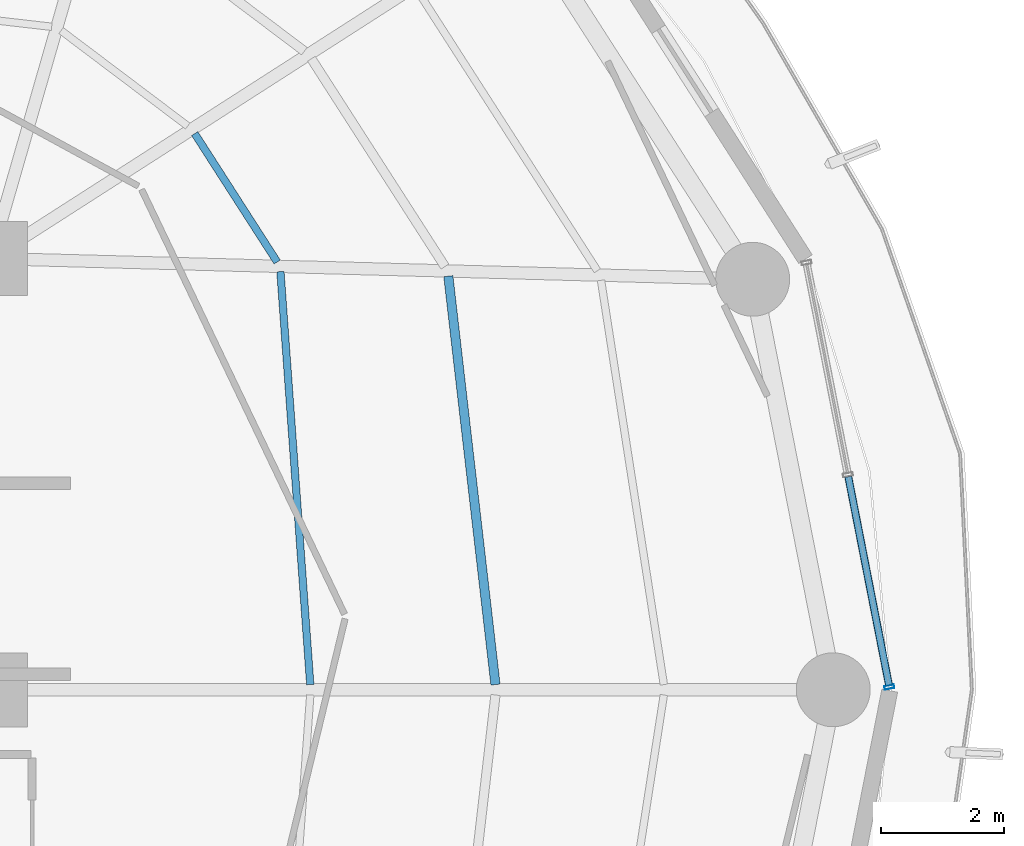
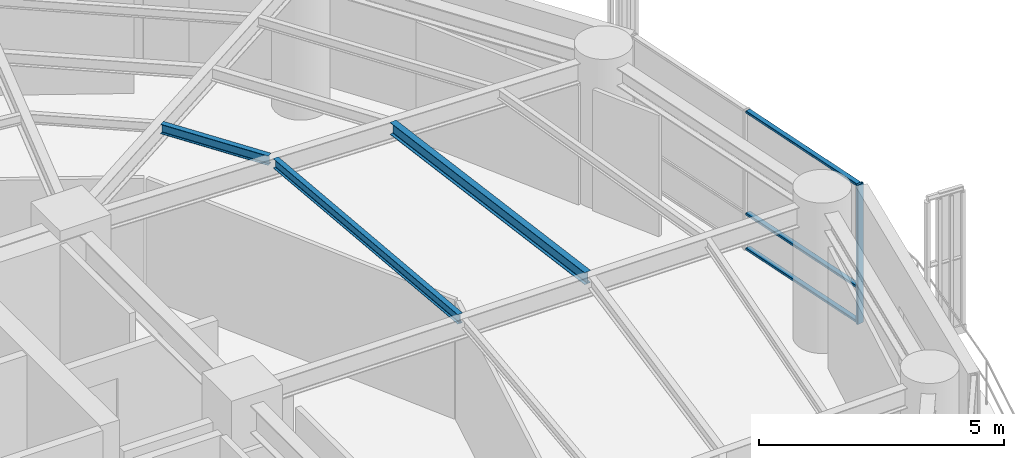
# One storey, part 13 of 29: 4 members, 3 beams, 1 element without a shape of its own.
"""IFC4 building model written with IfcOpenShell, lengths in metres."""

from ifc_helpers import new_model, si_unit, direction, frame, origin, origin_2d, place, context, subcontext, project, spatial, hollow_rectangle, i_section, extrude, material, layer, layer_set, material_profile, profile_set, type_object, element, aggregate, save


model = new_model("IFC4")

# Units and contexts
model_context = context("Model", 3, precision=1e-05, world=origin(), true_north=direction((0.0, 1.0)))
body_context = subcontext(model_context, "Body", "Model", "MODEL_VIEW")
ifc_project = project(units=[si_unit("LENGTHUNIT", "METRE"), si_unit("AREAUNIT", "SQUARE_METRE"), si_unit("VOLUMEUNIT", "CUBIC_METRE"), si_unit("PLANEANGLEUNIT", "RADIAN"), si_unit("MASSUNIT", "GRAM", prefix="KILO")], contexts=[model_context])

# Site, building, storey
site_placement = place(None, origin())
site = spatial("IfcSite", under=ifc_project, at=site_placement, CompositionType="ELEMENT")
building_placement = place(site_placement, origin())
building = spatial("IfcBuilding", under=site, at=building_placement, Name="Kelanora Arch Commons", CompositionType="ELEMENT")
storey_placement = place(building_placement, frame((0.0, 0.0, 135.60009765625)))
storey = spatial("IfcBuildingStorey", under=building, at=storey_placement, Name="L34", CompositionType="ELEMENT", Elevation=135.60009765625)

# Beams
ifc_material_1 = material(Name="Steel S355", Category="steel")
ifc_material_profile_1 = material_profile(ifc_material_1, i_section(OverallWidth=0.14990234375, OverallDepth=0.300048828125, WebThickness=0.007080078125, FlangeThickness=0.0107421875, FilletRadius=0.014892578125, at=origin_2d()), Name="IPE300")
ifc_profile_set_1 = profile_set([ifc_material_profile_1], Name="Steel S355")
beam_type_1 = type_object("IfcBeamType", Name="BM-JST-01", PredefinedType="JOIST", material=ifc_profile_set_1)
beam_1_placement = place(storey_placement, frame((90.1982421875, 58.08447265625, 3.33984375), z_axis=(-0.114667159005, 0.9934039675, 0.0), x_axis=(-0.9934039675, -0.114667159005, 0.0)))
element("IfcBeam", 1, at=beam_1_placement, inside=storey, type_object=beam_type_1, Name="Secondary Chord Joist BJB-00 L34", PredefinedType="JOIST", context=body_context, shape_type="SweptSolid", body=[
    extrude(i_section(OverallWidth=0.14990234375, OverallDepth=0.300048828125, WebThickness=0.007080078125, FlangeThickness=0.0107421875, FilletRadius=0.014892578125, at=origin_2d()), origin(), (0.0, 0.0, 1.0), 6.672607421875),
])
ifc_material_profile_2 = material_profile(ifc_material_1, i_section(OverallWidth=0.1201171875, OverallDepth=0.239990234375, WebThickness=0.006103515625, FlangeThickness=0.009765625, FilletRadius=0.014892578125, at=origin_2d()), Name="IPE240")
ifc_profile_set_2 = profile_set([ifc_material_profile_2], Name="Steel S355")
beam_type_2 = type_object("IfcBeamType", Name="BM-JST-02", PredefinedType="JOIST", material=ifc_profile_set_2)
beam_2_placement = place(storey_placement, frame((87.1923828125, 58.084716796875, 3.369873046875), z_axis=(-0.072117123738, 0.997396170267, 0.0), x_axis=(-0.997396170267, -0.072117123738, 0.0)))
element("IfcBeam", 2, at=beam_2_placement, inside=storey, type_object=beam_type_2, Name="Secondary Chord Joist BJA-00 L34", PredefinedType="JOIST", context=body_context, shape_type="SweptSolid", body=[
    extrude(i_section(OverallWidth=0.1201171875, OverallDepth=0.239990234375, WebThickness=0.006103515625, FlangeThickness=0.009765625, FilletRadius=0.014892578125, at=origin_2d()), origin(), (0.0, 0.0, 1.0), 6.719970703125),
])
beam_3_placement = place(storey_placement, frame((86.655517578125, 64.943359375, 3.369873046875), z_axis=(-0.540583174025, 0.841290575224, 0.0), x_axis=(-0.841290575224, -0.540583174025, 0.0)))
element("IfcBeam", 3, at=beam_3_placement, inside=storey, type_object=beam_type_2, Name="Secondary Chord Joist BJA-02 L34", PredefinedType="JOIST", context=body_context, shape_type="SweptSolid", body=[
    extrude(i_section(OverallWidth=0.1201171875, OverallDepth=0.239990234375, WebThickness=0.006103515625, FlangeThickness=0.009765625, FilletRadius=0.014892578125, at=origin_2d()), origin(), (0.0, 0.0, 1.0), 2.476318359375),
])

# Curtain wall, members
ifc_material_2 = material(Name="Terracotta ceramic-fritted low-E glass and aluminium", Category="masonry")
ifc_layer = layer(ifc_material_2, 0.175048828125)
ifc_layer_set = layer_set([ifc_layer], Name="Terracotta ceramic-fritted low-E glass and aluminium")
curtain_wall_type = type_object("IfcCurtainWallType", Name="CW-SYS-02", PredefinedType="NOTDEFINED", material=ifc_layer_set)
curtain_wall_placement = place(storey_placement, origin())
curtain_wall = element("IfcCurtainWall", 4, at=curtain_wall_placement, inside=storey, type_object=curtain_wall_type, Name="Unitised Curtain Wall L34-B00", PredefinedType="NOTDEFINED")
ifc_material_3 = material(Name="Powder-coated aluminium terracotta", Category="masonry")
ifc_material_profile_3 = material_profile(ifc_material_3, hollow_rectangle(XDim=0.159912109375, YDim=0.06005859375, WallThickness=0.0048828125, InnerFilletRadius=0.0048828125, OuterFilletRadius=0.010009765625, at=origin_2d()), Name="CWM160x60")
ifc_profile_set_3 = profile_set([ifc_material_profile_3], Name="Powder-coated aluminium terracotta")
member_type_1 = type_object("IfcMemberType", Name="CWM-STD", PredefinedType="MULLION", material=ifc_profile_set_3)
member_1_placement = place(storey_placement, frame((96.59130859375, 58.044189453125, 0.0), z_axis=(0.0, 0.0, 1.0), x_axis=(-0.981452557718, -0.191705182375, 0.0)))
member_1 = element("IfcMember", 5, at=member_1_placement, type_object=member_type_1, Name="CW-02 mullion 1", PredefinedType="MULLION", context=body_context, shape_type="SweptSolid", body=[
    extrude(hollow_rectangle(XDim=0.159912109375, YDim=0.06005859375, WallThickness=0.0048828125, InnerFilletRadius=0.0048828125, OuterFilletRadius=0.010009765625, at=origin_2d()), origin(), (0.0, 0.0, 1.0), 3.474853515625),
])
ifc_material_profile_4 = material_profile(ifc_material_3, hollow_rectangle(XDim=0.1201171875, YDim=0.06005859375, WallThickness=0.0048828125, InnerFilletRadius=0.0048828125, OuterFilletRadius=0.010009765625, at=origin_2d()), Name="CWT120x60")
ifc_profile_set_4 = profile_set([ifc_material_profile_4], Name="Powder-coated aluminium terracotta")
member_type_2 = type_object("IfcMemberType", Name="CWT-STD", PredefinedType="USERDEFINED", material=ifc_profile_set_4)
member_2_placement = place(storey_placement, frame((96.585693359375, 58.073486328125, 0.02978515625), z_axis=(-0.191718206447, 0.981450013662, 0.0), x_axis=(-0.981450013662, -0.191718206447, 0.0)))
member_2 = element("IfcMember", 6, at=member_2_placement, type_object=member_type_2, Name="CW-02 transom 1.1", ObjectType="TRANSOM", PredefinedType="USERDEFINED", context=body_context, shape_type="SweptSolid", body=[
    extrude(hollow_rectangle(XDim=0.1201171875, YDim=0.06005859375, WallThickness=0.0048828125, InnerFilletRadius=0.0048828125, OuterFilletRadius=0.010009765625, at=origin_2d()), origin(), (0.0, 0.0, 1.0), 3.44970703125),
])
member_3_placement = place(storey_placement, frame((96.585693359375, 58.073486328125, 0.89990234375), z_axis=(-0.191718206447, 0.981450013662, 0.0), x_axis=(-0.981450013662, -0.191718206447, 0.0)))
member_3 = element("IfcMember", 7, at=member_3_placement, type_object=member_type_2, Name="CW-02 transom 1.2", ObjectType="TRANSOM", PredefinedType="USERDEFINED", context=body_context, shape_type="SweptSolid", body=[
    extrude(hollow_rectangle(XDim=0.1201171875, YDim=0.06005859375, WallThickness=0.0048828125, InnerFilletRadius=0.0048828125, OuterFilletRadius=0.010009765625, at=origin_2d()), origin(), (0.0, 0.0, 1.0), 3.44970703125),
])
member_4_placement = place(storey_placement, frame((96.585693359375, 58.073486328125, 3.44482421875), z_axis=(-0.191718206447, 0.981450013662, 0.0), x_axis=(-0.981450013662, -0.191718206447, 0.0)))
member_4 = element("IfcMember", 8, at=member_4_placement, type_object=member_type_2, Name="CW-02 transom 1.3", ObjectType="TRANSOM", PredefinedType="USERDEFINED", context=body_context, shape_type="SweptSolid", body=[
    extrude(hollow_rectangle(XDim=0.1201171875, YDim=0.06005859375, WallThickness=0.0048828125, InnerFilletRadius=0.0048828125, OuterFilletRadius=0.010009765625, at=origin_2d()), origin(), (0.0, 0.0, 1.0), 3.44970703125),
])
aggregate(curtain_wall, [member_1, member_2, member_3, member_4])

save(model, "model.ifc")
